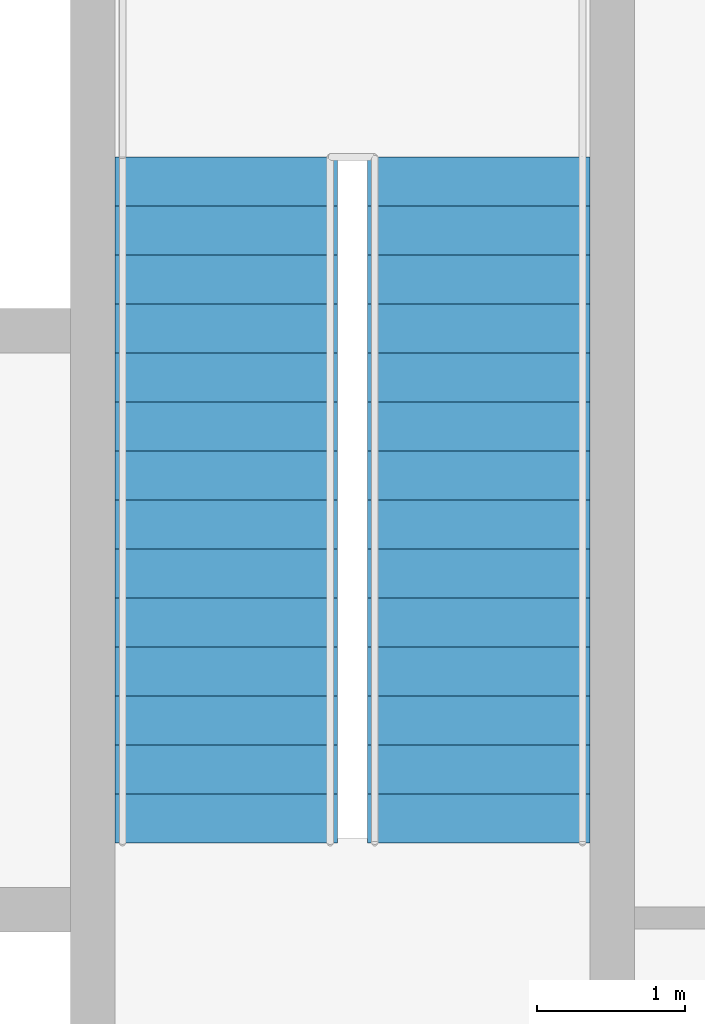
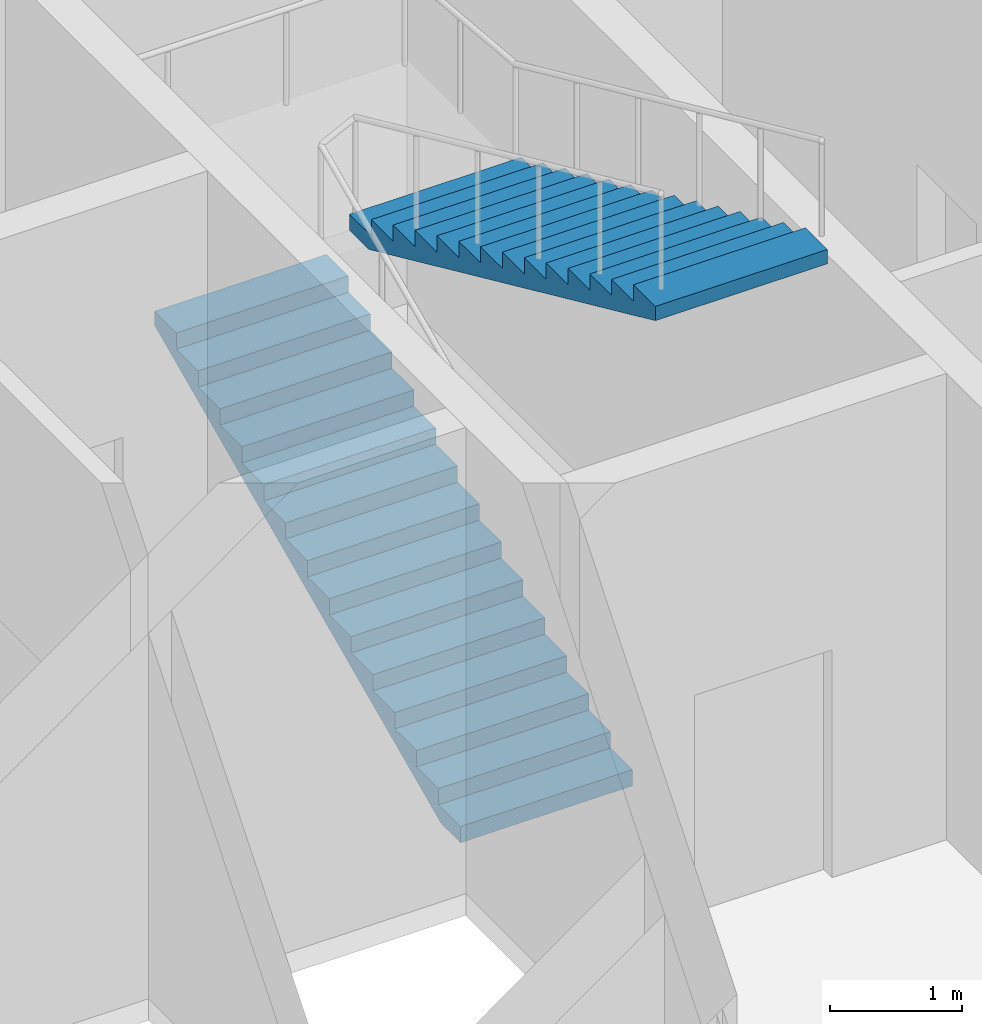
# One storey, part 10 of 11: 2 stair flights, 1 element without a shape of its own.
"""IFC4 building model written with IfcOpenShell, lengths in metres."""

from ifc_helpers import new_model, si_unit, direction, frame, origin, place, context, subcontext, project, spatial, polygons, material, type_object, element, aggregate, save


model = new_model("IFC4")

# Units and contexts
model_context = context("Model", 3, precision=1e-05, world=origin(), true_north=direction((0.0, 1.0)))
body_context = subcontext(model_context, "Body", "Model", "MODEL_VIEW")
ifc_project = project(units=[si_unit("LENGTHUNIT", "METRE"), si_unit("AREAUNIT", "SQUARE_METRE"), si_unit("VOLUMEUNIT", "CUBIC_METRE"), si_unit("PLANEANGLEUNIT", "RADIAN"), si_unit("MASSUNIT", "GRAM", prefix="KILO")], contexts=[model_context])

# Site, building, storey
site_placement = place(None, origin())
site = spatial("IfcSite", under=ifc_project, at=site_placement, CompositionType="ELEMENT")
building_placement = place(site_placement, origin())
building = spatial("IfcBuilding", under=site, at=building_placement, Name="Njiva Tower", CompositionType="ELEMENT")
storey_placement = place(building_placement, frame((0.0, 0.0, 84.3)))
storey = spatial("IfcBuildingStorey", under=building, at=storey_placement, Name="L17", CompositionType="ELEMENT", Elevation=84.3)

# Stair, stair flights
ifc_material = material(Name="Concrete C40/50", Category="concrete")
stair_type = type_object("IfcStairType", Name="ST4 Exit stair 1500", PredefinedType="HALF_TURN_STAIR", material=ifc_material)
stair_placement = place(storey_placement, origin())
stair = element("IfcStair", 1, at=stair_placement, inside=storey, type_object=stair_type, Name="Stair B", PredefinedType="HALF_TURN_STAIR")
stair_flight_type = type_object("IfcStairFlightType", Name="FL4 Stair flight 1500", PredefinedType="STRAIGHT", material=ifc_material)
stair_flight_1_placement = place(storey_placement, frame((11.75, 11.1, 0.0), z_axis=(0.0, 0.0, 1.0), x_axis=(0.0, 1.0, 0.0)))
stair_flight_1 = element("IfcStairFlight", 2, at=stair_flight_1_placement, type_object=stair_flight_type, Name="ST-B flight 1", NumberOfRisers=15, NumberOfTreads=14, PredefinedType="STRAIGHT", RiserHeight=0.15, TreadLength=0.33, context=body_context, shape_type="Tessellation", body=[
    polygons([(0.0, 0.75, 0.0), (0.0, 0.375, 0.0), (0.0, 0.0, 0.0), (0.0, -0.375, 0.0), (0.0, -0.75, 0.0), (0.0, 0.75, 0.15), (0.0, 0.375, 0.15), (0.0, 0.0, 0.15), (0.0, -0.375, 0.15), (0.0, -0.75, 0.15), (0.33, 0.75, 0.15), (0.33, 0.375, 0.15), (0.33, 0.0, 0.15), (0.33, -0.375, 0.15), (0.33, -0.75, 0.15), (0.33, 0.75, 0.3), (0.33, 0.375, 0.3), (0.33, 0.0, 0.3), (0.33, -0.375, 0.3), (0.33, -0.75, 0.3), (0.66, 0.75, 0.3), (0.66, 0.375, 0.3), (0.66, 0.0, 0.3), (0.66, -0.375, 0.3), (0.66, -0.75, 0.3), (0.66, 0.75, 0.45), (0.66, 0.375, 0.45), (0.66, 0.0, 0.45), (0.66, -0.375, 0.45), (0.66, -0.75, 0.45), (0.99, 0.75, 0.45), (0.99, 0.375, 0.45), (0.99, 0.0, 0.45), (0.99, -0.375, 0.45), (0.99, -0.75, 0.45), (0.99, 0.75, 0.6), (0.99, 0.375, 0.6), (0.99, 0.0, 0.6), (0.99, -0.375, 0.6), (0.99, -0.75, 0.6), (1.32, 0.75, 0.6), (1.32, 0.375, 0.6), (1.32, 0.0, 0.6), (1.32, -0.375, 0.6), (1.32, -0.75, 0.6), (1.32, 0.75, 0.75), (1.32, 0.375, 0.75), (1.32, 0.0, 0.75), (1.32, -0.375, 0.75), (1.32, -0.75, 0.75), (1.65, 0.75, 0.75), (1.65, 0.375, 0.75), (1.65, 0.0, 0.75), (1.65, -0.375, 0.75), (1.65, -0.75, 0.75), (1.65, 0.75, 0.9), (1.65, 0.375, 0.9), (1.65, 0.0, 0.9), (1.65, -0.375, 0.9), (1.65, -0.75, 0.9), (1.98, 0.75, 0.9), (1.98, 0.375, 0.9), (1.98, 0.0, 0.9), (1.98, -0.375, 0.9), (1.98, -0.75, 0.9), (1.98, 0.75, 1.05), (1.98, 0.375, 1.05), (1.98, 0.0, 1.05), (1.98, -0.375, 1.05), (1.98, -0.75, 1.05), (2.31, 0.75, 1.05), (2.31, 0.375, 1.05), (2.31, 0.0, 1.05), (2.31, -0.375, 1.05), (2.31, -0.75, 1.05), (2.31, 0.75, 1.2), (2.31, 0.375, 1.2), (2.31, 0.0, 1.2), (2.31, -0.375, 1.2), (2.31, -0.75, 1.2), (2.64, 0.75, 1.2), (2.64, 0.375, 1.2), (2.64, 0.0, 1.2), (2.64, -0.375, 1.2), (2.64, -0.75, 1.2), (2.64, 0.75, 1.35), (2.64, 0.375, 1.35), (2.64, 0.0, 1.35), (2.64, -0.375, 1.35), (2.64, -0.75, 1.35), (2.97, 0.75, 1.35), (2.97, 0.375, 1.35), (2.97, 0.0, 1.35), (2.97, -0.375, 1.35), (2.97, -0.75, 1.35), (2.97, 0.75, 1.5), (2.97, 0.375, 1.5), (2.97, 0.0, 1.5), (2.97, -0.375, 1.5), (2.97, -0.75, 1.5), (3.3, 0.75, 1.5), (3.3, 0.375, 1.5), (3.3, 0.0, 1.5), (3.3, -0.375, 1.5), (3.3, -0.75, 1.5), (3.3, 0.75, 1.65), (3.3, 0.375, 1.65), (3.3, 0.0, 1.65), (3.3, -0.375, 1.65), (3.3, -0.75, 1.65), (3.63, 0.75, 1.65), (3.63, 0.375, 1.65), (3.63, 0.0, 1.65), (3.63, -0.375, 1.65), (3.63, -0.75, 1.65), (3.63, 0.75, 1.8), (3.63, 0.375, 1.8), (3.63, 0.0, 1.8), (3.63, -0.375, 1.8), (3.63, -0.75, 1.8), (3.96, 0.75, 1.8), (3.96, 0.375, 1.8), (3.96, 0.0, 1.8), (3.96, -0.375, 1.8), (3.96, -0.75, 1.8), (3.96, 0.75, 1.95), (3.96, 0.375, 1.95), (3.96, 0.0, 1.95), (3.96, -0.375, 1.95), (3.96, -0.75, 1.95), (4.29, 0.75, 1.95), (4.29, 0.375, 1.95), (4.29, 0.0, 1.95), (4.29, -0.375, 1.95), (4.29, -0.75, 1.95), (4.29, 0.75, 2.1), (4.29, 0.375, 2.1), (4.29, 0.0, 2.1), (4.29, -0.375, 2.1), (4.29, -0.75, 2.1), (4.62, 0.75, 2.1), (4.62, 0.375, 2.1), (4.62, 0.0, 2.1), (4.62, -0.375, 2.1), (4.62, -0.75, 2.1), (4.62, 0.75, 1.9682), (4.62, 0.375, 1.9682), (4.62, 0.0, 1.9682), (4.62, -0.375, 1.9682), (4.62, -0.75, 1.9682), (0.29, 0.75, 0.0), (0.29, 0.375, 0.0), (0.29, 0.0, 0.0), (0.29, -0.375, 0.0), (0.29, -0.75, 0.0)], [[[1, 6, 11, 16, 21, 26, 31, 36, 41, 46, 51, 56, 61, 66, 71, 76, 81, 86, 91, 96, 101, 106, 111, 116, 121, 126, 131, 136, 141, 146, 151]], [[155, 150, 145, 140, 135, 130, 125, 120, 115, 110, 105, 100, 95, 90, 85, 80, 75, 70, 65, 60, 55, 50, 45, 40, 35, 30, 25, 20, 15, 10, 5]], [[6, 1, 2, 7]], [[7, 2, 3, 8]], [[8, 3, 4, 9]], [[9, 4, 5, 10]], [[11, 6, 7, 12]], [[12, 7, 8, 13]], [[13, 8, 9, 14]], [[14, 9, 10, 15]], [[16, 11, 12, 17]], [[17, 12, 13, 18]], [[18, 13, 14, 19]], [[19, 14, 15, 20]], [[21, 16, 17, 22]], [[22, 17, 18, 23]], [[23, 18, 19, 24]], [[24, 19, 20, 25]], [[26, 21, 22, 27]], [[27, 22, 23, 28]], [[28, 23, 24, 29]], [[29, 24, 25, 30]], [[31, 26, 27, 32]], [[32, 27, 28, 33]], [[33, 28, 29, 34]], [[34, 29, 30, 35]], [[36, 31, 32, 37]], [[37, 32, 33, 38]], [[38, 33, 34, 39]], [[39, 34, 35, 40]], [[41, 36, 37, 42]], [[42, 37, 38, 43]], [[43, 38, 39, 44]], [[44, 39, 40, 45]], [[46, 41, 42, 47]], [[47, 42, 43, 48]], [[48, 43, 44, 49]], [[49, 44, 45, 50]], [[51, 46, 47, 52]], [[52, 47, 48, 53]], [[53, 48, 49, 54]], [[54, 49, 50, 55]], [[56, 51, 52, 57]], [[57, 52, 53, 58]], [[58, 53, 54, 59]], [[59, 54, 55, 60]], [[61, 56, 57, 62]], [[62, 57, 58, 63]], [[63, 58, 59, 64]], [[64, 59, 60, 65]], [[66, 61, 62, 67]], [[67, 62, 63, 68]], [[68, 63, 64, 69]], [[69, 64, 65, 70]], [[71, 66, 67, 72]], [[72, 67, 68, 73]], [[73, 68, 69, 74]], [[74, 69, 70, 75]], [[76, 71, 72, 77]], [[77, 72, 73, 78]], [[78, 73, 74, 79]], [[79, 74, 75, 80]], [[81, 76, 77, 82]], [[82, 77, 78, 83]], [[83, 78, 79, 84]], [[84, 79, 80, 85]], [[86, 81, 82, 87]], [[87, 82, 83, 88]], [[88, 83, 84, 89]], [[89, 84, 85, 90]], [[91, 86, 87, 92]], [[92, 87, 88, 93]], [[93, 88, 89, 94]], [[94, 89, 90, 95]], [[96, 91, 92, 97]], [[97, 92, 93, 98]], [[98, 93, 94, 99]], [[99, 94, 95, 100]], [[101, 96, 97, 102]], [[102, 97, 98, 103]], [[103, 98, 99, 104]], [[104, 99, 100, 105]], [[106, 101, 102, 107]], [[107, 102, 103, 108]], [[108, 103, 104, 109]], [[109, 104, 105, 110]], [[111, 106, 107, 112]], [[112, 107, 108, 113]], [[113, 108, 109, 114]], [[114, 109, 110, 115]], [[116, 111, 112, 117]], [[117, 112, 113, 118]], [[118, 113, 114, 119]], [[119, 114, 115, 120]], [[121, 116, 117, 122]], [[122, 117, 118, 123]], [[123, 118, 119, 124]], [[124, 119, 120, 125]], [[126, 121, 122, 127]], [[127, 122, 123, 128]], [[128, 123, 124, 129]], [[129, 124, 125, 130]], [[131, 126, 127, 132]], [[132, 127, 128, 133]], [[133, 128, 129, 134]], [[134, 129, 130, 135]], [[136, 131, 132, 137]], [[137, 132, 133, 138]], [[138, 133, 134, 139]], [[139, 134, 135, 140]], [[141, 136, 137, 142]], [[142, 137, 138, 143]], [[143, 138, 139, 144]], [[144, 139, 140, 145]], [[146, 141, 142, 147]], [[147, 142, 143, 148]], [[148, 143, 144, 149]], [[149, 144, 145, 150]], [[151, 146, 147, 152]], [[152, 147, 148, 153]], [[153, 148, 149, 154]], [[154, 149, 150, 155]], [[1, 151, 152, 2]], [[2, 152, 153, 3]], [[3, 153, 154, 4]], [[4, 154, 155, 5]]], closed=True),
])
stair_flight_2_placement = place(storey_placement, frame((13.45, 15.72, 2.25), z_axis=(0.0, 0.0, 1.0), x_axis=(0.0, -1.0, 0.0)))
stair_flight_2 = element("IfcStairFlight", 3, at=stair_flight_2_placement, type_object=stair_flight_type, Name="ST-B flight 2", NumberOfRisers=15, NumberOfTreads=14, PredefinedType="STRAIGHT", RiserHeight=0.15, TreadLength=0.33, context=body_context, shape_type="Tessellation", body=[
    polygons([(0.0, 0.75, 0.0), (0.0, 0.375, 0.0), (0.0, 0.0, 0.0), (0.0, -0.375, 0.0), (0.0, -0.75, 0.0), (0.0, 0.75, 0.15), (0.0, 0.375, 0.15), (0.0, 0.0, 0.15), (0.0, -0.375, 0.15), (0.0, -0.75, 0.15), (0.33, 0.75, 0.15), (0.33, 0.375, 0.15), (0.33, 0.0, 0.15), (0.33, -0.375, 0.15), (0.33, -0.75, 0.15), (0.33, 0.75, 0.3), (0.33, 0.375, 0.3), (0.33, 0.0, 0.3), (0.33, -0.375, 0.3), (0.33, -0.75, 0.3), (0.66, 0.75, 0.3), (0.66, 0.375, 0.3), (0.66, 0.0, 0.3), (0.66, -0.375, 0.3), (0.66, -0.75, 0.3), (0.66, 0.75, 0.45), (0.66, 0.375, 0.45), (0.66, 0.0, 0.45), (0.66, -0.375, 0.45), (0.66, -0.75, 0.45), (0.99, 0.75, 0.45), (0.99, 0.375, 0.45), (0.99, 0.0, 0.45), (0.99, -0.375, 0.45), (0.99, -0.75, 0.45), (0.99, 0.75, 0.6), (0.99, 0.375, 0.6), (0.99, 0.0, 0.6), (0.99, -0.375, 0.6), (0.99, -0.75, 0.6), (1.32, 0.75, 0.6), (1.32, 0.375, 0.6), (1.32, 0.0, 0.6), (1.32, -0.375, 0.6), (1.32, -0.75, 0.6), (1.32, 0.75, 0.75), (1.32, 0.375, 0.75), (1.32, 0.0, 0.75), (1.32, -0.375, 0.75), (1.32, -0.75, 0.75), (1.65, 0.75, 0.75), (1.65, 0.375, 0.75), (1.65, 0.0, 0.75), (1.65, -0.375, 0.75), (1.65, -0.75, 0.75), (1.65, 0.75, 0.9), (1.65, 0.375, 0.9), (1.65, 0.0, 0.9), (1.65, -0.375, 0.9), (1.65, -0.75, 0.9), (1.98, 0.75, 0.9), (1.98, 0.375, 0.9), (1.98, 0.0, 0.9), (1.98, -0.375, 0.9), (1.98, -0.75, 0.9), (1.98, 0.75, 1.05), (1.98, 0.375, 1.05), (1.98, 0.0, 1.05), (1.98, -0.375, 1.05), (1.98, -0.75, 1.05), (2.31, 0.75, 1.05), (2.31, 0.375, 1.05), (2.31, 0.0, 1.05), (2.31, -0.375, 1.05), (2.31, -0.75, 1.05), (2.31, 0.75, 1.2), (2.31, 0.375, 1.2), (2.31, 0.0, 1.2), (2.31, -0.375, 1.2), (2.31, -0.75, 1.2), (2.64, 0.75, 1.2), (2.64, 0.375, 1.2), (2.64, 0.0, 1.2), (2.64, -0.375, 1.2), (2.64, -0.75, 1.2), (2.64, 0.75, 1.35), (2.64, 0.375, 1.35), (2.64, 0.0, 1.35), (2.64, -0.375, 1.35), (2.64, -0.75, 1.35), (2.97, 0.75, 1.35), (2.97, 0.375, 1.35), (2.97, 0.0, 1.35), (2.97, -0.375, 1.35), (2.97, -0.75, 1.35), (2.97, 0.75, 1.5), (2.97, 0.375, 1.5), (2.97, 0.0, 1.5), (2.97, -0.375, 1.5), (2.97, -0.75, 1.5), (3.3, 0.75, 1.5), (3.3, 0.375, 1.5), (3.3, 0.0, 1.5), (3.3, -0.375, 1.5), (3.3, -0.75, 1.5), (3.3, 0.75, 1.65), (3.3, 0.375, 1.65), (3.3, 0.0, 1.65), (3.3, -0.375, 1.65), (3.3, -0.75, 1.65), (3.63, 0.75, 1.65), (3.63, 0.375, 1.65), (3.63, 0.0, 1.65), (3.63, -0.375, 1.65), (3.63, -0.75, 1.65), (3.63, 0.75, 1.8), (3.63, 0.375, 1.8), (3.63, 0.0, 1.8), (3.63, -0.375, 1.8), (3.63, -0.75, 1.8), (3.96, 0.75, 1.8), (3.96, 0.375, 1.8), (3.96, 0.0, 1.8), (3.96, -0.375, 1.8), (3.96, -0.75, 1.8), (3.96, 0.75, 1.95), (3.96, 0.375, 1.95), (3.96, 0.0, 1.95), (3.96, -0.375, 1.95), (3.96, -0.75, 1.95), (4.29, 0.75, 1.95), (4.29, 0.375, 1.95), (4.29, 0.0, 1.95), (4.29, -0.375, 1.95), (4.29, -0.75, 1.95), (4.29, 0.75, 2.1), (4.29, 0.375, 2.1), (4.29, 0.0, 2.1), (4.29, -0.375, 2.1), (4.29, -0.75, 2.1), (4.62, 0.75, 2.1), (4.62, 0.375, 2.1), (4.62, 0.0, 2.1), (4.62, -0.375, 2.1), (4.62, -0.75, 2.1), (4.62, 0.75, 1.9682), (4.62, 0.375, 1.9682), (4.62, 0.0, 1.9682), (4.62, -0.375, 1.9682), (4.62, -0.75, 1.9682), (0.29, 0.75, 0.0), (0.29, 0.375, 0.0), (0.29, 0.0, 0.0), (0.29, -0.375, 0.0), (0.29, -0.75, 0.0)], [[[1, 6, 11, 16, 21, 26, 31, 36, 41, 46, 51, 56, 61, 66, 71, 76, 81, 86, 91, 96, 101, 106, 111, 116, 121, 126, 131, 136, 141, 146, 151]], [[155, 150, 145, 140, 135, 130, 125, 120, 115, 110, 105, 100, 95, 90, 85, 80, 75, 70, 65, 60, 55, 50, 45, 40, 35, 30, 25, 20, 15, 10, 5]], [[6, 1, 2, 7]], [[7, 2, 3, 8]], [[8, 3, 4, 9]], [[9, 4, 5, 10]], [[11, 6, 7, 12]], [[12, 7, 8, 13]], [[13, 8, 9, 14]], [[14, 9, 10, 15]], [[16, 11, 12, 17]], [[17, 12, 13, 18]], [[18, 13, 14, 19]], [[19, 14, 15, 20]], [[21, 16, 17, 22]], [[22, 17, 18, 23]], [[23, 18, 19, 24]], [[24, 19, 20, 25]], [[26, 21, 22, 27]], [[27, 22, 23, 28]], [[28, 23, 24, 29]], [[29, 24, 25, 30]], [[31, 26, 27, 32]], [[32, 27, 28, 33]], [[33, 28, 29, 34]], [[34, 29, 30, 35]], [[36, 31, 32, 37]], [[37, 32, 33, 38]], [[38, 33, 34, 39]], [[39, 34, 35, 40]], [[41, 36, 37, 42]], [[42, 37, 38, 43]], [[43, 38, 39, 44]], [[44, 39, 40, 45]], [[46, 41, 42, 47]], [[47, 42, 43, 48]], [[48, 43, 44, 49]], [[49, 44, 45, 50]], [[51, 46, 47, 52]], [[52, 47, 48, 53]], [[53, 48, 49, 54]], [[54, 49, 50, 55]], [[56, 51, 52, 57]], [[57, 52, 53, 58]], [[58, 53, 54, 59]], [[59, 54, 55, 60]], [[61, 56, 57, 62]], [[62, 57, 58, 63]], [[63, 58, 59, 64]], [[64, 59, 60, 65]], [[66, 61, 62, 67]], [[67, 62, 63, 68]], [[68, 63, 64, 69]], [[69, 64, 65, 70]], [[71, 66, 67, 72]], [[72, 67, 68, 73]], [[73, 68, 69, 74]], [[74, 69, 70, 75]], [[76, 71, 72, 77]], [[77, 72, 73, 78]], [[78, 73, 74, 79]], [[79, 74, 75, 80]], [[81, 76, 77, 82]], [[82, 77, 78, 83]], [[83, 78, 79, 84]], [[84, 79, 80, 85]], [[86, 81, 82, 87]], [[87, 82, 83, 88]], [[88, 83, 84, 89]], [[89, 84, 85, 90]], [[91, 86, 87, 92]], [[92, 87, 88, 93]], [[93, 88, 89, 94]], [[94, 89, 90, 95]], [[96, 91, 92, 97]], [[97, 92, 93, 98]], [[98, 93, 94, 99]], [[99, 94, 95, 100]], [[101, 96, 97, 102]], [[102, 97, 98, 103]], [[103, 98, 99, 104]], [[104, 99, 100, 105]], [[106, 101, 102, 107]], [[107, 102, 103, 108]], [[108, 103, 104, 109]], [[109, 104, 105, 110]], [[111, 106, 107, 112]], [[112, 107, 108, 113]], [[113, 108, 109, 114]], [[114, 109, 110, 115]], [[116, 111, 112, 117]], [[117, 112, 113, 118]], [[118, 113, 114, 119]], [[119, 114, 115, 120]], [[121, 116, 117, 122]], [[122, 117, 118, 123]], [[123, 118, 119, 124]], [[124, 119, 120, 125]], [[126, 121, 122, 127]], [[127, 122, 123, 128]], [[128, 123, 124, 129]], [[129, 124, 125, 130]], [[131, 126, 127, 132]], [[132, 127, 128, 133]], [[133, 128, 129, 134]], [[134, 129, 130, 135]], [[136, 131, 132, 137]], [[137, 132, 133, 138]], [[138, 133, 134, 139]], [[139, 134, 135, 140]], [[141, 136, 137, 142]], [[142, 137, 138, 143]], [[143, 138, 139, 144]], [[144, 139, 140, 145]], [[146, 141, 142, 147]], [[147, 142, 143, 148]], [[148, 143, 144, 149]], [[149, 144, 145, 150]], [[151, 146, 147, 152]], [[152, 147, 148, 153]], [[153, 148, 149, 154]], [[154, 149, 150, 155]], [[1, 151, 152, 2]], [[2, 152, 153, 3]], [[3, 153, 154, 4]], [[4, 154, 155, 5]]], closed=True),
])
aggregate(stair, [stair_flight_1, stair_flight_2])

save(model, "model.ifc")
